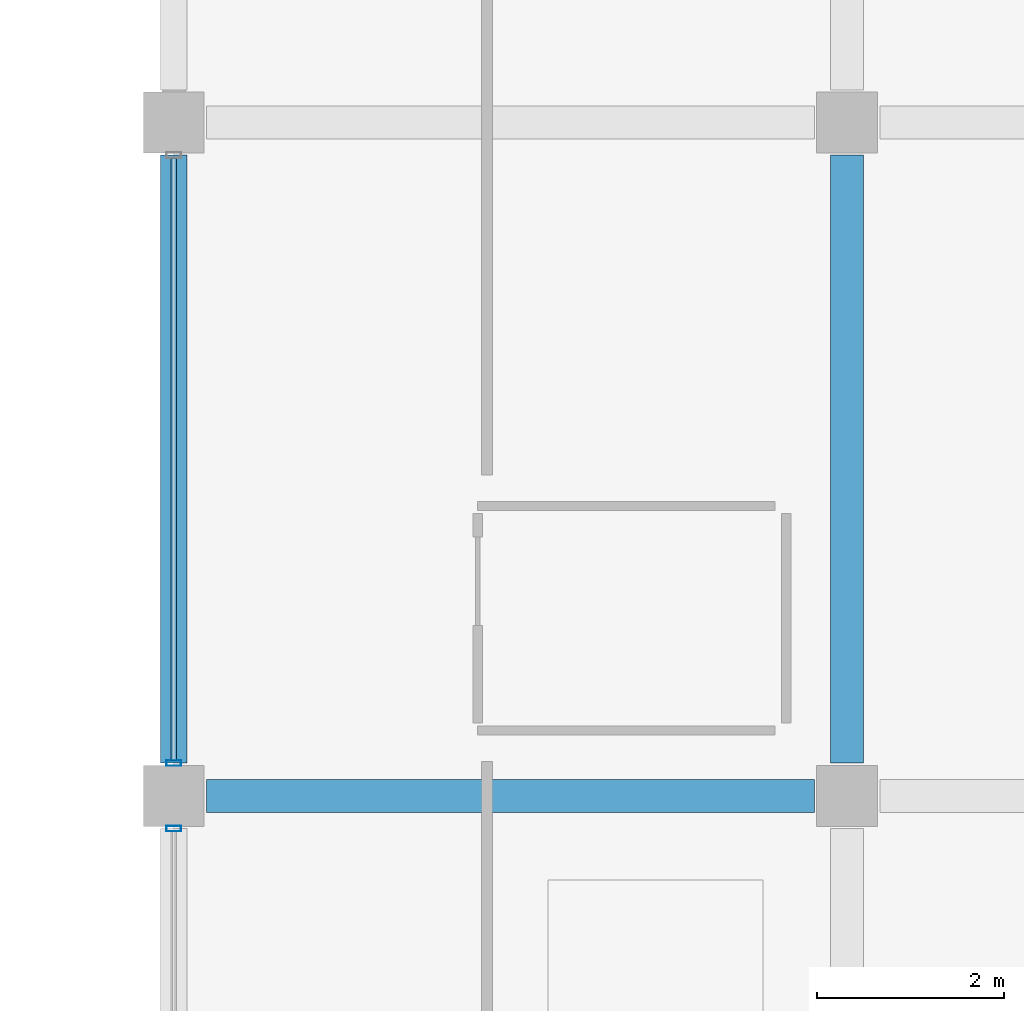
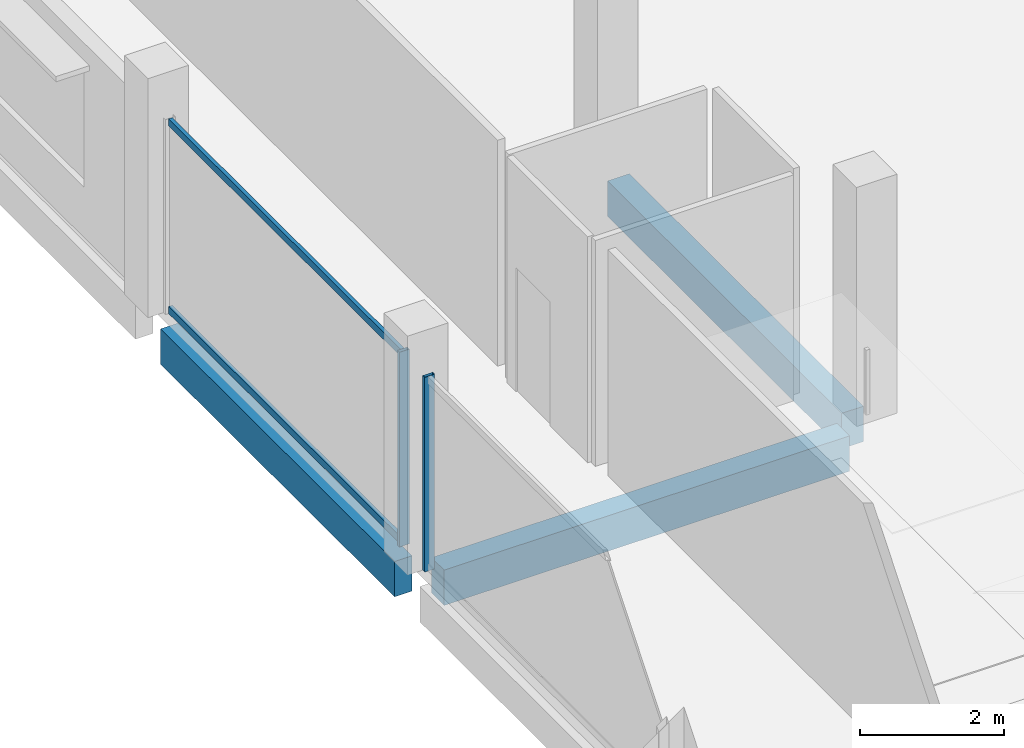
# One storey, part 32 of 77: 4 members, 3 beams, 2 elements without a shape of their own.
"""IFC4 building model written with IfcOpenShell, lengths in metres."""

from ifc_helpers import new_model, si_unit, direction, frame, origin, origin_2d, place, context, subcontext, project, spatial, rectangle, hollow_rectangle, extrude, material, layer, layer_set, material_profile, profile_set, type_object, element, aggregate, save


model = new_model("IFC4")

# Units and contexts
model_context = context("Model", 3, precision=1e-05, world=origin(), true_north=direction((0.0, 1.0)))
body_context = subcontext(model_context, "Body", "Model", "MODEL_VIEW")
ifc_project = project(units=[si_unit("LENGTHUNIT", "METRE"), si_unit("AREAUNIT", "SQUARE_METRE"), si_unit("VOLUMEUNIT", "CUBIC_METRE"), si_unit("PLANEANGLEUNIT", "RADIAN"), si_unit("MASSUNIT", "GRAM", prefix="KILO")], contexts=[model_context])

# Site, building, storey
site_placement = place(None, origin())
site = spatial("IfcSite", under=ifc_project, at=site_placement, CompositionType="ELEMENT")
building_placement = place(site_placement, origin())
building = spatial("IfcBuilding", under=site, at=building_placement, Name="Kangsadwip Square Police Headquarters", CompositionType="ELEMENT")
storey_placement = place(building_placement, frame((0.0, 0.0, 17.550048828125)))
storey = spatial("IfcBuildingStorey", under=building, at=storey_placement, Name="L04", CompositionType="ELEMENT", Elevation=17.550048828125)

# Curtain wall, member
ifc_material_1 = material(Name="Thermally broken anodised aluminium AW-6063-T6", Category="aluminium")
ifc_layer = layer(ifc_material_1, 0.159912109375)
ifc_layer_set = layer_set([ifc_layer], Name="Thermally broken anodised aluminium AW-6063-T6")
curtain_wall_type = type_object("IfcCurtainWallType", Name="CourtScreen6560x3300", PredefinedType="USERDEFINED", material=ifc_layer_set)
curtain_wall_1_placement = place(storey_placement, origin())
curtain_wall_1 = element("IfcCurtainWall", 1, at=curtain_wall_1_placement, inside=storey, type_object=curtain_wall_type, Name="Curtain Wall CW-L04-1440-0651", ObjectType="GLAZED_SCREEN", PredefinedType="USERDEFINED")
ifc_material_2 = material(Name="Thermally broken anodised aluminium AW-6063-T6", Category="aluminium")
ifc_material_profile_1 = material_profile(ifc_material_2, hollow_rectangle(XDim=0.06005859375, YDim=0.159912109375, WallThickness=0.00390625, at=origin_2d()), Name="CWM 160X60X4")
ifc_profile_set_1 = profile_set([ifc_material_profile_1], Name="Thermally broken anodised aluminium AW-6063-T6")
member_type_1 = type_object("IfcMemberType", Name="CwMullion135x60", PredefinedType="MULLION", material=ifc_profile_set_1)
member_1_placement = place(storey_placement, frame((144.0, 71.64990234375, 0.0), z_axis=(0.0, 0.0, 1.0), x_axis=(0.0, 1.0, 0.0)))
member_1 = element("IfcMember", 2, at=member_1_placement, type_object=member_type_1, Name="CW-48 mullion 2", PredefinedType="MULLION", context=body_context, shape_type="SweptSolid", body=[
    extrude(hollow_rectangle(XDim=0.06005859375, YDim=0.159912109375, WallThickness=0.00390625, at=origin_2d()), origin(), (0.0, 0.0, 1.0), 3.300048828125),
])
aggregate(curtain_wall_1, [member_1])

# Curtain wall, members
curtain_wall_2_placement = place(storey_placement, origin())
curtain_wall_2 = element("IfcCurtainWall", 3, at=curtain_wall_2_placement, inside=storey, type_object=curtain_wall_type, Name="Curtain Wall CW-L04-1440-0723", ObjectType="GLAZED_SCREEN", PredefinedType="USERDEFINED")
member_2_placement = place(storey_placement, frame((144.0, 72.35009765625, 0.0), z_axis=(0.0, 0.0, 1.0), x_axis=(0.0, 1.0, 0.0)))
member_2 = element("IfcMember", 4, at=member_2_placement, type_object=member_type_1, Name="CW-48 mullion 1", PredefinedType="MULLION", context=body_context, shape_type="SweptSolid", body=[
    extrude(hollow_rectangle(XDim=0.06005859375, YDim=0.159912109375, WallThickness=0.00390625, at=origin_2d()), origin(), (0.0, 0.0, 1.0), 3.300048828125),
])
ifc_material_3 = material(Name="Thermally broken anodised aluminium AW-6063-T6", Category="aluminium")
ifc_material_profile_2 = material_profile(ifc_material_3, hollow_rectangle(XDim=0.06005859375, YDim=0.1201171875, WallThickness=0.00390625, at=origin_2d()), Name="CWT 120X60X4")
ifc_profile_set_2 = profile_set([ifc_material_profile_2], Name="Thermally broken anodised aluminium AW-6063-T6")
member_type_2 = type_object("IfcMemberType", Name="CwTransom120x55", PredefinedType="USERDEFINED", material=ifc_profile_set_2)
member_3_placement = place(storey_placement, frame((144.0, 72.3798828125, 0.06005859375), z_axis=(0.0, 1.0, 0.0), x_axis=(-1.0, 0.0, 0.0)))
member_3 = element("IfcMember", 5, at=member_3_placement, type_object=member_type_2, Name="CW-48 transom 1.1", ObjectType="TRANSOM", PredefinedType="USERDEFINED", context=body_context, shape_type="SweptSolid", body=[
    extrude(hollow_rectangle(XDim=0.06005859375, YDim=0.1201171875, WallThickness=0.00390625, at=origin_2d()), origin(), (0.0, 0.0, 1.0), 6.440185546875),
])
member_4_placement = place(storey_placement, frame((144.0, 72.3798828125, 3.239990234375), z_axis=(0.0, 1.0, 0.0), x_axis=(-1.0, 0.0, 0.0)))
member_4 = element("IfcMember", 6, at=member_4_placement, type_object=member_type_2, Name="CW-48 transom 1.2", ObjectType="TRANSOM", PredefinedType="USERDEFINED", context=body_context, shape_type="SweptSolid", body=[
    extrude(hollow_rectangle(XDim=0.06005859375, YDim=0.1201171875, WallThickness=0.00390625, at=origin_2d()), origin(), (0.0, 0.0, 1.0), 6.440185546875),
])
aggregate(curtain_wall_2, [member_2, member_3, member_4])

# Beams
ifc_material_4 = material(Name="Concrete M35 (35 MPa)", Category="concrete")
ifc_material_profile_3 = material_profile(ifc_material_4, rectangle(XDim=0.35009765625, YDim=0.60009765625, at=origin_2d()), Name="RC BM 600X350")
ifc_profile_set_3 = profile_set([ifc_material_profile_3], Name="Concrete M35 (35 MPa)")
beam_type_1 = type_object("IfcBeamType", Name="RcBeam600x350", PredefinedType="BEAM", material=ifc_profile_set_3)
for number, where, z_axis, x_axis, name in (
    (7, (144.35009765625, 72.0, -0.5400390625), (1.0, 0.0, 0.0), (0.0, 1.0, 0.0), "Beam BM-L04-X-20-10"),
    (8, (151.199951171875, 72.35009765625, -0.5400390625), (0.0, 1.0, 0.0), (-1.0, 0.0, 0.0), "Beam BM-L04-Y-21-10"),
):
    element("IfcBeam", number, at=place(storey_placement, frame(where, z_axis=z_axis, x_axis=x_axis)), inside=storey, type_object=beam_type_1, Name=name, PredefinedType="BEAM", context=body_context, shape_type="SweptSolid", body=[
        extrude(rectangle(XDim=0.35009765625, YDim=0.60009765625, at=origin_2d()), origin(), (0.0, 0.0, 1.0), 6.5),
    ])
ifc_material_5 = material(Name="Concrete M40 (40 MPa)", Category="concrete")
ifc_material_profile_4 = material_profile(ifc_material_5, rectangle(XDim=0.280029296875, YDim=0.60009765625, at=origin_2d()), Name="RC SPN 600X280")
ifc_profile_set_4 = profile_set([ifc_material_profile_4], Name="Concrete M40 (40 MPa)")
beam_type_2 = type_object("IfcBeamType", Name="RcSpandrel600x280", PredefinedType="SPANDREL", material=ifc_profile_set_4)
beam_placement = place(storey_placement, frame((144.0, 72.35009765625, -0.5400390625), z_axis=(0.0, 1.0, 0.0), x_axis=(-1.0, 0.0, 0.0)))
element("IfcBeam", 9, at=beam_placement, inside=storey, type_object=beam_type_2, Name="Beam BM-L04-Y-20-10", PredefinedType="SPANDREL", context=body_context, shape_type="SweptSolid", body=[
    extrude(rectangle(XDim=0.280029296875, YDim=0.60009765625, at=origin_2d()), origin(), (0.0, 0.0, 1.0), 6.5),
])

save(model, "model.ifc")
